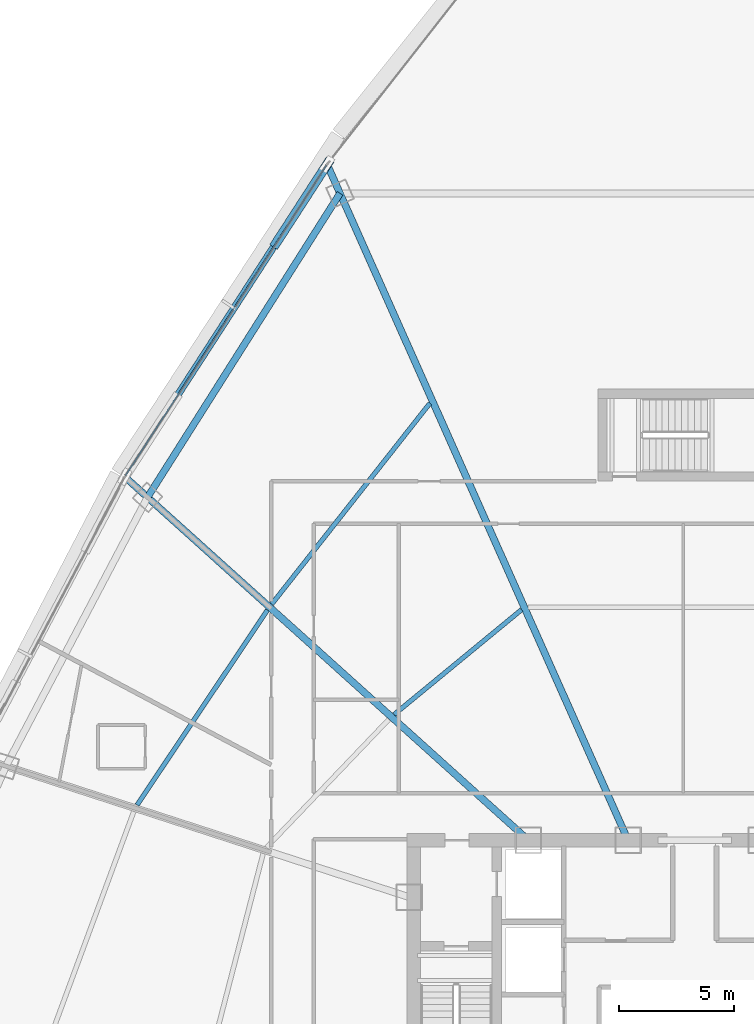
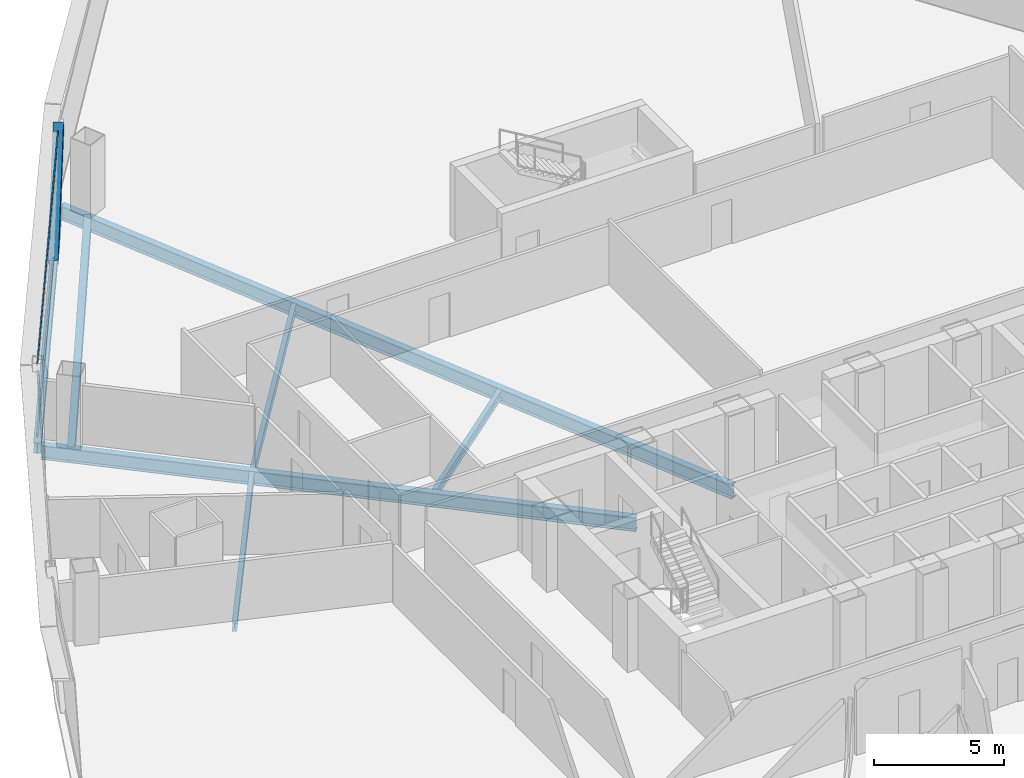
# One storey, part 19 of 41: 7 beams, 3 members, 1 element without a shape of its own.
"""IFC4 building model written with IfcOpenShell, lengths in metres."""

from ifc_helpers import new_model, si_unit, direction, frame, origin, origin_2d, place, context, subcontext, project, spatial, hollow_rectangle, i_section, extrude, source, transform, mapped, material, layer, layer_set, material_profile, profile_set, type_object, element, aggregate, save


model = new_model("IFC4")

# Units and contexts
model_context = context("Model", 3, precision=1e-05, world=origin(), true_north=direction((0.0, 1.0)))
body_context = subcontext(model_context, "Body", "Model", "MODEL_VIEW")
ifc_project = project(units=[si_unit("LENGTHUNIT", "METRE"), si_unit("AREAUNIT", "SQUARE_METRE"), si_unit("VOLUMEUNIT", "CUBIC_METRE"), si_unit("PLANEANGLEUNIT", "RADIAN"), si_unit("MASSUNIT", "GRAM", prefix="KILO"), si_unit("THERMODYNAMICTEMPERATUREUNIT", "KELVIN"), si_unit("POWERUNIT", "WATT")], contexts=[model_context])

# Site, building, storey
site_placement = place(None, origin())
site = spatial("IfcSite", under=ifc_project, at=site_placement, CompositionType="ELEMENT")
building_placement = place(site_placement, origin())
building = spatial("IfcBuilding", under=site, at=building_placement, Name="Yunzhuo Pagoda Commons", CompositionType="ELEMENT")
storey_placement = place(building_placement, frame((0.0, 0.0, 155.590087890625)))
storey = spatial("IfcBuildingStorey", under=building, at=storey_placement, Name="L39", CompositionType="ELEMENT", Elevation=155.590087890625)

# Beams
ifc_material_1 = material(Name="Structural steel Q355B", Category="steel")
ifc_material_profile_1 = material_profile(ifc_material_1, i_section(OverallWidth=0.199951171875, OverallDepth=0.39990234375, WebThickness=0.008056640625, FlangeThickness=0.012939453125, at=origin_2d()), Name="Structural steel Q355B")
ifc_profile_set_1 = profile_set([ifc_material_profile_1], Name="Structural steel Q355B")
beam_type_1 = type_object("IfcBeamType", Name="B-JS1 Joist HN 400x200x8x13", PredefinedType="JOIST", material=ifc_profile_set_1)
shared_shape_1 = source(origin(), body_context, "Body", "SweptSolid", [
    extrude(i_section(OverallWidth=0.199951171875, OverallDepth=0.39990234375, WebThickness=0.008056640625, FlangeThickness=0.012939453125, at=origin_2d()), origin(), (0.0, 0.0, 1.0), 10.186767578125),
])
beam_1_placement = place(storey_placement, frame((29.440673828125, 50.19921875, -0.460205078125), z_axis=(-0.555872145938, -0.831267801235, 0.0), x_axis=(0.831267801235, -0.555872145938, 0.0)))
element("IfcBeam", 1, at=beam_1_placement, inside=storey, type_object=beam_type_1, Name="L39 composite ring joist 2.10", PredefinedType="JOIST", context=body_context, shape_type="MappedRepresentation", body=[
    mapped(shared_shape_1, transform((0.0, 0.0, 0.0), scale=1.0)),
])
ifc_material_profile_2 = material_profile(ifc_material_1, i_section(OverallWidth=0.300048828125, OverallDepth=0.64990234375, WebThickness=0.012939453125, FlangeThickness=0.02197265625, at=origin_2d()), Name="Structural steel Q355B")
ifc_profile_set_2 = profile_set([ifc_material_profile_2], Name="Structural steel Q355B")
beam_type_2 = type_object("IfcBeamType", Name="B-RG2 Beam HN 650x300x13x22", PredefinedType="BEAM", material=ifc_profile_set_2)
shared_shape_2 = source(origin(), body_context, "Body", "SweptSolid", [
    extrude(i_section(OverallWidth=0.300048828125, OverallDepth=0.64990234375, WebThickness=0.012939453125, FlangeThickness=0.02197265625, at=origin_2d()), origin(), (0.0, 0.0, 1.0), 15.627685546875),
])
beam_2_placement = place(storey_placement, frame((32.593994140625, 68.302734375, -0.585205078125), z_axis=(-0.534952471728, -0.844882153316, 0.0), x_axis=(0.844882153316, -0.534952471728, 0.0)))
element("IfcBeam", 2, at=beam_2_placement, inside=storey, type_object=beam_type_2, Name="L39 column-ring beam 9", PredefinedType="BEAM", context=body_context, shape_type="MappedRepresentation", body=[
    mapped(shared_shape_2, transform((0.0, 0.0, 0.0), scale=1.0)),
])
shared_shape_3 = source(origin(), body_context, "Body", "SweptSolid", [
    extrude(i_section(OverallWidth=0.199951171875, OverallDepth=0.39990234375, WebThickness=0.008056640625, FlangeThickness=0.012939453125, at=origin_2d()), origin(), (0.0, 0.0, 1.0), 7.163818359375),
])
beam_3_placement = place(storey_placement, frame((40.47900390625, 50.21630859375, -0.460205078125), z_axis=(-0.772234119563, -0.635338071095, 0.0), x_axis=(0.635338071095, -0.772234119563, 0.0)))
element("IfcBeam", 3, at=beam_3_placement, inside=storey, type_object=beam_type_1, Name="L39 composite ring joist 1.9", PredefinedType="JOIST", context=body_context, shape_type="MappedRepresentation", body=[
    mapped(shared_shape_3, transform((0.0, 0.0, 0.0), scale=1.0)),
])
shared_shape_4 = source(origin(), body_context, "Body", "SweptSolid", [
    extrude(i_section(OverallWidth=0.199951171875, OverallDepth=0.39990234375, WebThickness=0.008056640625, FlangeThickness=0.012939453125, at=origin_2d()), origin(), (0.0, 0.0, 1.0), 11.109375),
])
beam_4_placement = place(storey_placement, frame((36.49951171875, 59.18505859375, -0.460205078125), z_axis=(-0.618600596935, -0.785705607382, 0.0), x_axis=(0.785705607382, -0.618600596935, 0.0)))
element("IfcBeam", 4, at=beam_4_placement, inside=storey, type_object=beam_type_1, Name="L39 composite ring joist 2.9", PredefinedType="JOIST", context=body_context, shape_type="MappedRepresentation", body=[
    mapped(shared_shape_4, transform((0.0, 0.0, 0.0), scale=1.0)),
])
shared_shape_5 = source(origin(), body_context, "Body", "SweptSolid", [
    extrude(i_section(OverallWidth=0.300048828125, OverallDepth=0.64990234375, WebThickness=0.012939453125, FlangeThickness=0.02197265625, at=origin_2d()), origin(), (0.0, 0.0, 1.0), 23.44287109375),
])
beam_5_placement = place(storey_placement, frame((23.359619140625, 55.886474609375, -0.585205078125), z_axis=(0.743139811502, -0.669136174901, 0.0), x_axis=(0.669136174901, 0.743139811502, 0.0)))
element("IfcBeam", 5, at=beam_5_placement, inside=storey, type_object=beam_type_2, Name="L39 radial floor girder F3C2", PredefinedType="BEAM", context=body_context, shape_type="MappedRepresentation", body=[
    mapped(shared_shape_5, transform((0.0, 0.0, 0.0), scale=1.0)),
])
shared_shape_6 = source(origin(), body_context, "Body", "SweptSolid", [
    extrude(i_section(OverallWidth=0.300048828125, OverallDepth=0.64990234375, WebThickness=0.012939453125, FlangeThickness=0.02197265625, at=origin_2d()), origin(), (0.0, 0.0, 1.0), 31.986328125),
])
beam_6_placement = place(storey_placement, frame((32.095947265625, 69.4208984375, -0.585205078125), z_axis=(0.406736795216, -0.913545389905, 0.0), x_axis=(0.913545389905, 0.406736795216, 0.0)))
element("IfcBeam", 6, at=beam_6_placement, inside=storey, type_object=beam_type_2, Name="L39 radial floor girder F3C1", PredefinedType="BEAM", context=body_context, shape_type="MappedRepresentation", body=[
    mapped(shared_shape_6, transform((0.0, 0.0, 0.0), scale=1.0)),
])
ifc_material_profile_3 = material_profile(ifc_material_1, i_section(OverallWidth=0.300048828125, OverallDepth=0.488037109375, WebThickness=0.010986328125, FlangeThickness=0.01806640625, at=origin_2d()), Name="Structural steel Q355B")
ifc_profile_set_3 = profile_set([ifc_material_profile_3], Name="Structural steel Q355B")
beam_type_3 = type_object("IfcBeamType", Name="B-SP1 Beam HM 488x300x11x18", PredefinedType="BEAM", material=ifc_profile_set_3)
shared_shape_7 = source(origin(), body_context, "Body", "SweptSolid", [
    extrude(i_section(OverallWidth=0.300048828125, OverallDepth=0.488037109375, WebThickness=0.010986328125, FlangeThickness=0.01806640625, at=origin_2d()), origin(), (0.0, 0.0, 1.0), 16.16943359375),
])
beam_7_placement = place(storey_placement, frame((32.032958984375, 69.5625, -0.50390625), z_axis=(-0.543528588708, -0.839390655927, 0.0), x_axis=(0.839390655927, -0.543528588708, 0.0)))
element("IfcBeam", 7, at=beam_7_placement, inside=storey, type_object=beam_type_3, Name="L39 facade edge spandrel beam F3.1", PredefinedType="BEAM", context=body_context, shape_type="MappedRepresentation", body=[
    mapped(shared_shape_7, transform((0.0, 0.0, 0.0), scale=1.0)),
])

# Member
ifc_material_profile_4 = material_profile(ifc_material_1, hollow_rectangle(XDim=0.39990234375, YDim=0.719970703125, WallThickness=0.02392578125, at=origin_2d()), Name="Structural steel Q355B")
ifc_profile_set_4 = profile_set([ifc_material_profile_4], Name="Structural steel Q355B")
member_type_1 = type_object("IfcMemberType", Name="M-DL2 Brace BOX 720x400x24", PredefinedType="BRACE", material=ifc_profile_set_4)
shared_shape_8 = source(origin(), body_context, "Body", "SweptSolid", [
    extrude(hollow_rectangle(XDim=0.39990234375, YDim=0.719970703125, WallThickness=0.02392578125, at=origin_2d()), origin(), (0.0, 0.0, 1.0), 5.46630859375),
])
member_1_placement = place(storey_placement, frame((29.836181640625, 66.16943359375, -0.260009765625), z_axis=(0.40187518128, 0.620722523831, 0.67320122332), x_axis=(-0.839427527283, 0.543471642718, 0.0)))
element("IfcMember", 8, at=member_1_placement, inside=storey, type_object=member_type_1, Name="L39 facade diamond brace F3.1L", PredefinedType="BRACE", context=body_context, shape_type="MappedRepresentation", body=[
    mapped(shared_shape_8, transform((0.0, 0.0, 0.0), scale=1.0)),
])

# Curtain wall, members
ifc_material_2 = material(Name="Anodized aluminium 6063-T6", Category="aluminium")
ifc_layer = layer(ifc_material_2, 0.14990234375)
ifc_layer_set = layer_set([ifc_layer], Name="Anodized aluminium 6063-T6")
curtain_wall_type = type_object("IfcCurtainWallType", Name="CW-MID Mid-Zone Ribbon Curtain Wall", PredefinedType="NOTDEFINED", material=ifc_layer_set)
curtain_wall_placement = place(storey_placement, origin())
curtain_wall = element("IfcCurtainWall", 9, at=curtain_wall_placement, inside=storey, type_object=curtain_wall_type, Name="L39 curtain wall CW-L39-F3B2", PredefinedType="NOTDEFINED")
ifc_material_profile_5 = material_profile(ifc_material_2, hollow_rectangle(XDim=0.054931640625, YDim=0.1298828125, WallThickness=0.00341796875, at=origin_2d()), Name="Anodized aluminium 6063-T6")
ifc_profile_set_5 = profile_set([ifc_material_profile_5], Name="Anodized aluminium 6063-T6")
member_type_2 = type_object("IfcMemberType", Name="CW-MID-T Transom RHS 130x55x3.5", PredefinedType="USERDEFINED", material=ifc_profile_set_5)
shared_shape_9 = source(origin(), body_context, "Body", "SweptSolid", [
    extrude(hollow_rectangle(XDim=0.054931640625, YDim=0.1298828125, WallThickness=0.00341796875, at=origin_2d()), origin(), (0.0, 0.0, 1.0), 16.049560546875),
])
member_2_placement = place(storey_placement, frame((32.00048828125, 69.51220703125, 0.02734375), z_axis=(-0.543526245349, -0.839392173312, 0.0), x_axis=(0.839392173312, -0.543526245349, 0.0)))
member_2 = element("IfcMember", 10, at=member_2_placement, type_object=member_type_2, Name="CW transom 1.1", ObjectType="TRANSOM", PredefinedType="USERDEFINED", context=body_context, shape_type="MappedRepresentation", body=[
    mapped(shared_shape_9, transform((0.0, 0.0, 0.0), scale=1.0)),
])
member_3_placement = place(storey_placement, frame((32.00048828125, 69.51220703125, 3.392333984375), z_axis=(-0.543526245349, -0.839392173312, 0.0), x_axis=(0.839392173312, -0.543526245349, 0.0)))
member_3 = element("IfcMember", 11, at=member_3_placement, type_object=member_type_2, Name="CW transom 1.2", ObjectType="TRANSOM", PredefinedType="USERDEFINED", context=body_context, shape_type="MappedRepresentation", body=[
    mapped(shared_shape_9, transform((0.0, 0.0, 0.0), scale=1.0)),
])
aggregate(curtain_wall, [member_2, member_3])

save(model, "model.ifc")
